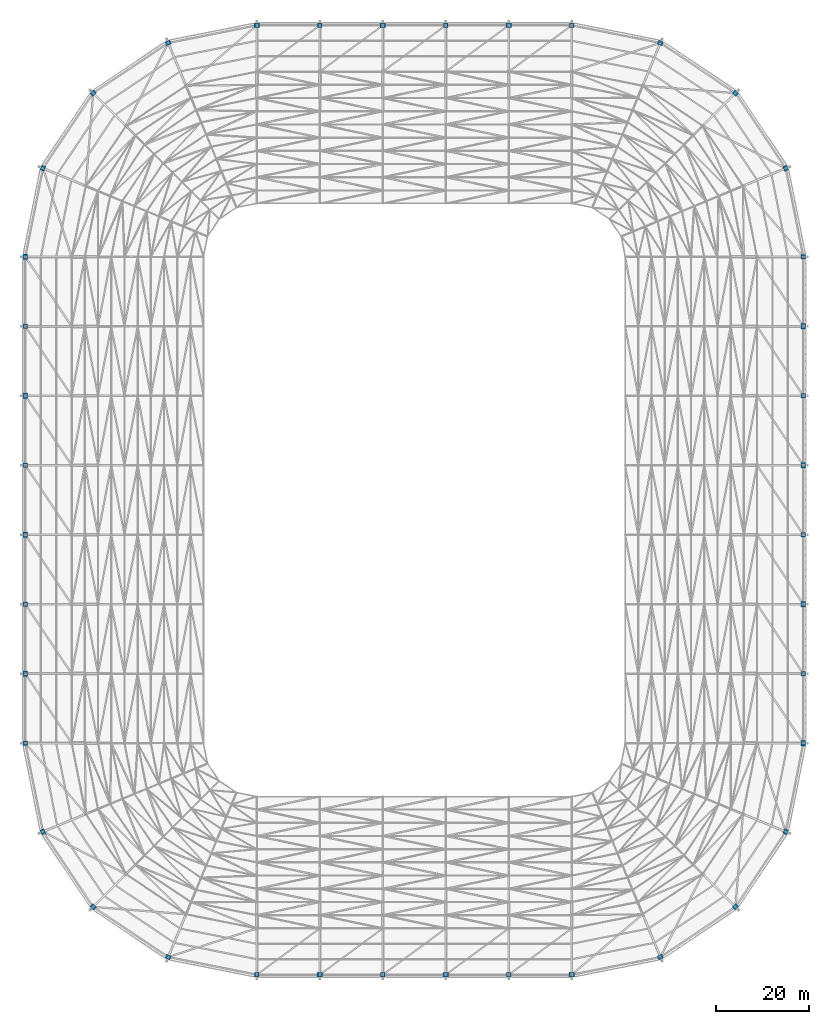
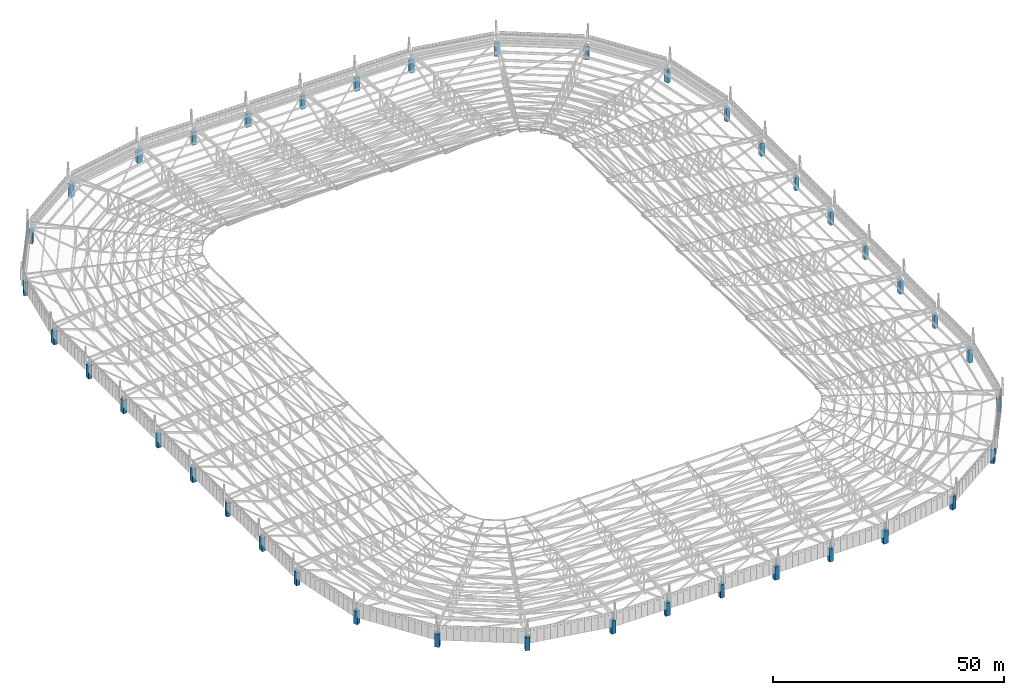
# One storey, part 1 of 278: 40 columns.
"""IFC4 building model written with IfcOpenShell, lengths in metres."""

from ifc_helpers import new_model, si_unit, direction, frame, origin, origin_2d, place, context, subcontext, project, spatial, rectangle, extrude, material, material_profile, profile_set, type_object, element, save


model = new_model("IFC4")

# Units and contexts
model_context = context("Model", 3, precision=1e-05, world=origin(), true_north=direction((0.0, 1.0)))
body_context = subcontext(model_context, "Body", "Model", "MODEL_VIEW")
ifc_project = project(units=[si_unit("LENGTHUNIT", "METRE"), si_unit("AREAUNIT", "SQUARE_METRE"), si_unit("VOLUMEUNIT", "CUBIC_METRE"), si_unit("PLANEANGLEUNIT", "RADIAN"), si_unit("MASSUNIT", "GRAM", prefix="KILO")], contexts=[model_context])

# Site, building, storey
site_placement = place(None, origin())
site = spatial("IfcSite", under=ifc_project, at=site_placement, CompositionType="ELEMENT")
building_placement = place(site_placement, origin())
building = spatial("IfcBuilding", under=site, at=building_placement, Name="Ogive Plaza Stadium", CompositionType="ELEMENT")
storey_placement = place(building_placement, frame((0.0, 0.0, 29.0)))
storey = spatial("IfcBuildingStorey", under=building, at=storey_placement, Name="Roof", CompositionType="ELEMENT", Elevation=29.0)

# Columns
ifc_material_1 = material(Name="Concrete C40/50", Category="concrete")
ifc_material_profile_1 = material_profile(ifc_material_1, rectangle(XDim=1.199951171875, YDim=0.89990234375, at=origin_2d()), Name="RC 1200x900")
ifc_profile_set_1 = profile_set([ifc_material_profile_1], Name="Concrete C40/50")
column_type_1 = type_object("IfcColumnType", Name="RC column F5 core 1200x900", PredefinedType="COLUMN", material=ifc_profile_set_1)
for number, where, z_axis, x_axis, name in (
    (1, (84.0, 37.5, 0.0), (0.0, 0.0, 1.0), (0.0, 1.0, 0.0), "Column F5 R02 Roof"),
    (2, (84.0, 7.5, 0.0), (0.0, 0.0, 1.0), (0.0, 1.0, 0.0), "Column F5 R04 Roof"),
    (3, (84.0, -22.5, 0.0), (0.0, 0.0, 1.0), (0.0, 1.0, 0.0), "Column F5 R06 Roof"),
    (4, (84.0, -52.5, 0.0), (0.0, 0.0, 1.0), (0.0, 1.0, 0.0), "Column F5 R08 Roof"),
    (5, (34.0, -102.5, 0.0), (0.0, 0.0, 1.0), (1.0, 0.0, 0.0), "Column F5 R12 Roof"),
    (6, (6.800048828125, -102.5, 0.0), (0.0, 0.0, 1.0), (1.0, 0.0, 0.0), "Column F5 R14 Roof"),
    (7, (-20.39990234375, -102.5, 0.0), (0.0, 0.0, 1.0), (1.0, 0.0, 0.0), "Column F5 R16 Roof"),
    (8, (-84.0, -37.5, 0.0), (0.0, 0.0, 1.0), (0.0, -1.0, 0.0), "Column F5 R22 Roof"),
    (9, (-84.0, -7.5, 0.0), (0.0, 0.0, 1.0), (0.0, -1.0, 0.0), "Column F5 R24 Roof"),
    (10, (-84.0, 22.5, 0.0), (0.0, 0.0, 1.0), (0.0, -1.0, 0.0), "Column F5 R26 Roof"),
    (11, (-84.0, 52.5, 0.0), (0.0, 0.0, 1.0), (0.0, -1.0, 0.0), "Column F5 R28 Roof"),
    (12, (-34.0, 102.5, 0.0), (0.0, 0.0, 1.0), (-1.0, 0.0, 0.0), "Column F5 R32 Roof"),
    (13, (-6.800048828125, 102.5, 0.0), (0.0, 0.0, 1.0), (-1.0, 0.0, 0.0), "Column F5 R34 Roof"),
    (14, (20.39990234375, 102.5, 0.0), (0.0, 0.0, 1.0), (-1.0, 0.0, 0.0), "Column F5 R36 Roof"),
):
    element("IfcColumn", number, at=place(storey_placement, frame(where, z_axis=z_axis, x_axis=x_axis)), inside=storey, type_object=column_type_1, Name=name, PredefinedType="COLUMN", context=body_context, shape_type="SweptSolid", body=[
        extrude(rectangle(XDim=1.199951171875, YDim=0.89990234375, at=origin_2d()), origin(), (0.0, 0.0, 1.0), 3.5),
    ])
ifc_material_2 = material(Name="Concrete C40/50", Category="concrete")
ifc_material_profile_2 = material_profile(ifc_material_2, rectangle(XDim=1.10009765625, YDim=0.89990234375, at=origin_2d()), Name="RC 1100x900")
ifc_profile_set_2 = profile_set([ifc_material_profile_2], Name="Concrete C40/50")
column_type_2 = type_object("IfcColumnType", Name="RC column F5 corner 1100x900", PredefinedType="COLUMN", material=ifc_profile_set_2)
for number, where, z_axis, x_axis, name in (
    (15, (80.194091796875, -71.63427734375, 0.0), (0.0, 0.0, 1.0), (0.382683432365, 0.923879532511, 0.0), "Column F5 R09 Roof"),
    (16, (69.355224609375, -87.855224609375, 0.0), (0.0, 0.0, 1.0), (0.707106781187, 0.707106781187, 0.0), "Column F5 R10 Roof"),
    (17, (53.13427734375, -98.694091796875, 0.0), (0.0, 0.0, 1.0), (0.923879532511, 0.382683432365, 0.0), "Column F5 R11 Roof"),
    (18, (-53.13427734375, -98.694091796875, 0.0), (0.0, 0.0, 1.0), (0.923879532511, -0.382683432365, 0.0), "Column F5 R18 Roof"),
    (19, (-69.355224609375, -87.855224609375, 0.0), (0.0, 0.0, 1.0), (0.707106781187, -0.707106781187, 0.0), "Column F5 R19 Roof"),
    (20, (-80.194091796875, -71.63427734375, 0.0), (0.0, 0.0, 1.0), (0.382683432365, -0.923879532511, 0.0), "Column F5 R20 Roof"),
    (21, (-80.194091796875, 71.63427734375, 0.0), (0.0, 0.0, 1.0), (-0.382683432365, -0.923879532511, 0.0), "Column F5 R29 Roof"),
    (22, (-69.355224609375, 87.855224609375, 0.0), (0.0, 0.0, 1.0), (-0.707106781187, -0.707106781187, 0.0), "Column F5 R30 Roof"),
    (23, (-53.13427734375, 98.694091796875, 0.0), (0.0, 0.0, 1.0), (-0.923879532511, -0.382683432365, 0.0), "Column F5 R31 Roof"),
    (24, (53.13427734375, 98.694091796875, 0.0), (0.0, 0.0, 1.0), (-0.923879532511, 0.382683432365, 0.0), "Column F5 R38 Roof"),
    (25, (69.355224609375, 87.855224609375, 0.0), (0.0, 0.0, 1.0), (-0.707106781187, 0.707106781187, 0.0), "Column F5 R39 Roof"),
    (26, (80.194091796875, 71.63427734375, 0.0), (0.0, 0.0, 1.0), (-0.382683432365, 0.923879532511, 0.0), "Column F5 R40 Roof"),
):
    element("IfcColumn", number, at=place(storey_placement, frame(where, z_axis=z_axis, x_axis=x_axis)), inside=storey, type_object=column_type_2, Name=name, PredefinedType="COLUMN", context=body_context, shape_type="SweptSolid", body=[
        extrude(rectangle(XDim=1.10009765625, YDim=0.89990234375, at=origin_2d()), origin(), (0.0, 0.0, 1.0), 3.5),
    ])
ifc_material_3 = material(Name="Concrete C40/50", Category="concrete")
ifc_material_profile_3 = material_profile(ifc_material_3, rectangle(XDim=1.0, YDim=0.89990234375, at=origin_2d()), Name="RC 1000x900")
ifc_profile_set_3 = profile_set([ifc_material_profile_3], Name="Concrete C40/50")
column_type_3 = type_object("IfcColumnType", Name="RC column F5 typical 1000x900", PredefinedType="COLUMN", material=ifc_profile_set_3)
for number, where, z_axis, x_axis, name in (
    (27, (84.0, 52.5, 0.0), (0.0, 0.0, 1.0), (0.0, 1.0, 0.0), "Column F5 R01 Roof"),
    (28, (84.0, 22.5, 0.0), (0.0, 0.0, 1.0), (0.0, 1.0, 0.0), "Column F5 R03 Roof"),
    (29, (84.0, -7.5, 0.0), (0.0, 0.0, 1.0), (0.0, 1.0, 0.0), "Column F5 R05 Roof"),
    (30, (84.0, -37.5, 0.0), (0.0, 0.0, 1.0), (0.0, 1.0, 0.0), "Column F5 R07 Roof"),
    (31, (20.39990234375, -102.5, 0.0), (0.0, 0.0, 1.0), (1.0, 0.0, 0.0), "Column F5 R13 Roof"),
    (32, (-6.800048828125, -102.5, 0.0), (0.0, 0.0, 1.0), (1.0, 0.0, 0.0), "Column F5 R15 Roof"),
    (33, (-34.0, -102.5, 0.0), (0.0, 0.0, 1.0), (1.0, 0.0, 0.0), "Column F5 R17 Roof"),
    (34, (-84.0, -52.5, 0.0), (0.0, 0.0, 1.0), (0.0, -1.0, 0.0), "Column F5 R21 Roof"),
    (35, (-84.0, -22.5, 0.0), (0.0, 0.0, 1.0), (0.0, -1.0, 0.0), "Column F5 R23 Roof"),
    (36, (-84.0, 7.5, 0.0), (0.0, 0.0, 1.0), (0.0, -1.0, 0.0), "Column F5 R25 Roof"),
    (37, (-84.0, 37.5, 0.0), (0.0, 0.0, 1.0), (0.0, -1.0, 0.0), "Column F5 R27 Roof"),
    (38, (-20.39990234375, 102.5, 0.0), (0.0, 0.0, 1.0), (-1.0, 0.0, 0.0), "Column F5 R33 Roof"),
    (39, (6.800048828125, 102.5, 0.0), (0.0, 0.0, 1.0), (-1.0, 0.0, 0.0), "Column F5 R35 Roof"),
    (40, (34.0, 102.5, 0.0), (0.0, 0.0, 1.0), (-1.0, 0.0, 0.0), "Column F5 R37 Roof"),
):
    element("IfcColumn", number, at=place(storey_placement, frame(where, z_axis=z_axis, x_axis=x_axis)), inside=storey, type_object=column_type_3, Name=name, PredefinedType="COLUMN", context=body_context, shape_type="SweptSolid", body=[
        extrude(rectangle(XDim=1.0, YDim=0.89990234375, at=origin_2d()), origin(), (0.0, 0.0, 1.0), 3.5),
    ])

save(model, "model.ifc")
